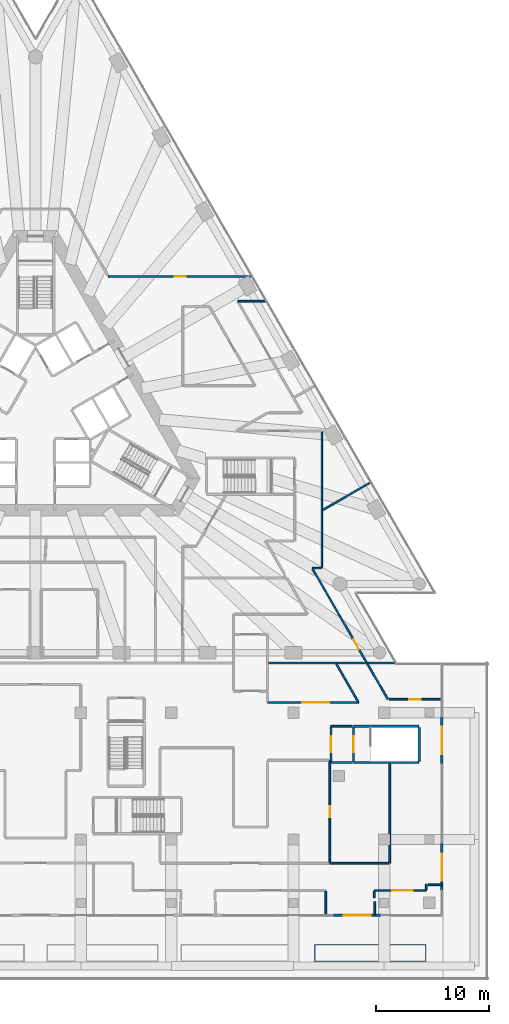
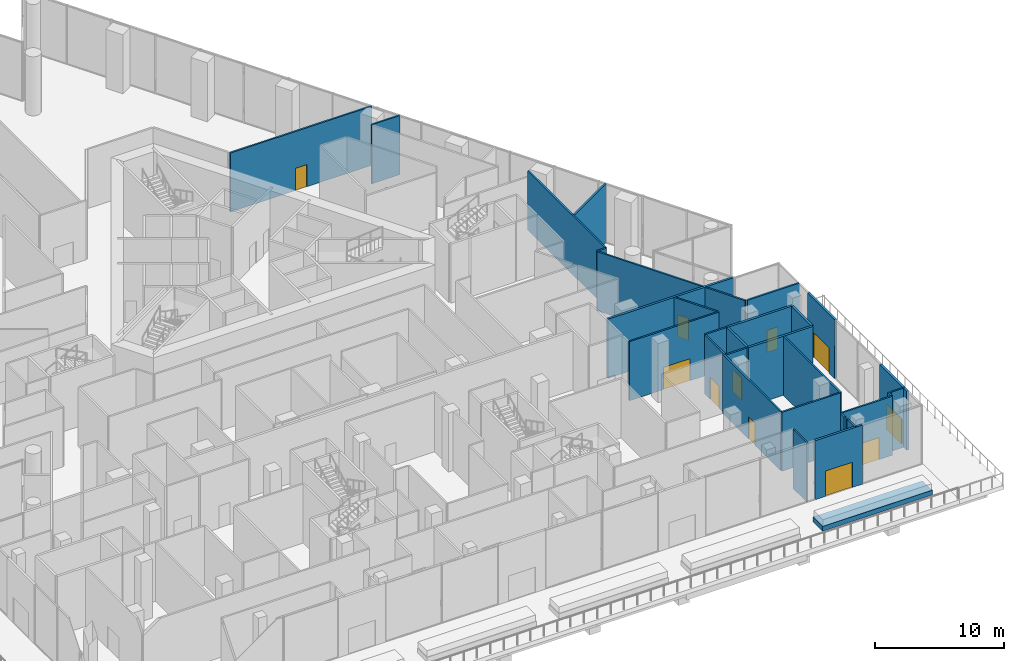
# One storey, part 28 of 36: 31 walls, 11 doors, 11 openings.
"""IFC4 building model written with IfcOpenShell, lengths in metres."""

from ifc_helpers import new_model, si_unit, direction, frame, frame_2d, origin, place, context, subcontext, project, spatial, rectangle, extrude, material, layer, layer_set, layer_usage, type_object, element, fill, save


model = new_model("IFC4")

# Units and contexts
model_context = context("Model", 3, precision=1e-05, world=origin(), true_north=direction((0.0, 1.0)))
body_context = subcontext(model_context, "Body", "Model", "MODEL_VIEW")
ifc_project = project(units=[si_unit("LENGTHUNIT", "METRE"), si_unit("AREAUNIT", "SQUARE_METRE"), si_unit("VOLUMEUNIT", "CUBIC_METRE"), si_unit("PLANEANGLEUNIT", "RADIAN"), si_unit("MASSUNIT", "GRAM", prefix="KILO")], contexts=[model_context])

# Site, building, storey
site_placement = place(None, origin())
site = spatial("IfcSite", under=ifc_project, at=site_placement, CompositionType="ELEMENT")
building_placement = place(site_placement, origin())
building = spatial("IfcBuilding", under=site, at=building_placement, Name="Triada Interchange Tower", CompositionType="ELEMENT")
storey_placement = place(building_placement, frame((0.0, 0.0, 8.5)))
storey = spatial("IfcBuildingStorey", under=building, at=storey_placement, Name="L01", CompositionType="ELEMENT", Elevation=8.5)

# Walls
ifc_material_1 = material(Name="Concrete C30/37", Category="concrete")
ifc_layer_1 = layer(ifc_material_1, 0.199951171875)
ifc_layer_set_1 = layer_set([ifc_layer_1], Name="COMPARTMENT WALL 200 EI 180")
wall_type_1 = type_object("IfcWallType", Name="COMPARTMENT WALL 200 EI 180", PredefinedType="SOLIDWALL", material=ifc_layer_set_1)
wall_1_placement = place(storey_placement, frame((20.574951171875, -22.5, 0.0), z_axis=(0.0, 0.0, 1.0), x_axis=(1.0, 0.0, 0.0)))
element("IfcWall", 1, at=wall_1_placement, inside=storey, type_object=wall_type_1, Name="Compartment wall L01 52", PredefinedType="SOLIDWALL", context=body_context, shape_type="SweptSolid", body=[
    extrude(rectangle(XDim=11.26611328125, YDim=0.199951171875, at=frame_2d((5.633056640625, 0.0))), origin(), (0.0, 0.0, 1.0), 5.60009765625),
])
ifc_layer_2 = layer(ifc_material_1, 0.199951171875)
ifc_layer_set_2 = layer_set([ifc_layer_2], Name="CORE WALL 200 REI 240")
wall_type_2 = type_object("IfcWallType", Name="CORE WALL 200 REI 240", PredefinedType="SOLIDWALL", material=ifc_layer_set_2)
for number, where, z_axis, x_axis, name in (
    (2, (28.10009765625, -31.300048828125, 0.0), (0.0, 0.0, 1.0), (1.0, 0.0, 0.0), "Wall L01 236"),
    (3, (28.10009765625, -28.10009765625, 0.0), (0.0, 0.0, 1.0), (1.0, 0.0, 0.0), "Wall L01 239"),
):
    element("IfcWall", number, at=place(storey_placement, frame(where, z_axis=z_axis, x_axis=x_axis)), inside=storey, type_object=wall_type_2, Name=name, PredefinedType="SOLIDWALL", context=body_context, shape_type="SweptSolid", body=[
        extrude(rectangle(XDim=5.7998046875, YDim=0.199951171875, at=frame_2d((2.89990234375, 0.0))), origin(), (0.0, 0.0, 1.0), 5.60009765625),
    ])

# Wall, opening, door
wall_2_placement = place(storey_placement, frame((28.10009765625, -31.199951171875, 0.0), z_axis=(0.0, 0.0, 1.0), x_axis=(0.0, 1.0, 0.0)))
wall_2 = element("IfcWall", 4, at=wall_2_placement, inside=storey, type_object=wall_type_2, Name="Wall L01 265", PredefinedType="SOLIDWALL", context=body_context, shape_type="SweptSolid", body=[
    extrude(rectangle(XDim=3.0, YDim=0.199951171875, at=frame_2d((1.5, 0.0))), origin(), (0.0, 0.0, 1.0), 5.60009765625),
])
opening_1_placement = place(wall_2_placement, frame((0.800048828125, 0.0, 0.0)))
opening_1 = element("IfcOpeningElement", 5, at=opening_1_placement, cuts=wall_2, Name="Opening D01-25", PredefinedType="OPENING", context=body_context, shape_type="SweptSolid", body=[
    extrude(rectangle(XDim=1.39990234375, YDim=2.10009765625, at=frame_2d((0.699951171875, 1.050048828125))), frame((0.0, 0.10986328125, 0.0), z_axis=(0.0, -1.0, 0.0), x_axis=(1.0, 0.0, 0.0)), (0.0, 0.0, 1.0), 0.219970703125),
])
ifc_material_2 = material(Name="Steel S235 door leaf", Category="steel")
door_type_1 = type_object("IfcDoorType", Name="STAIR DOOR 1400 EI2 90-C5S200", OperationType="DOUBLE_DOOR_SINGLE_SWING", PredefinedType="DOOR", material=ifc_material_2)
door_1_placement = place(opening_1_placement, origin())
door_1 = element("IfcDoor", 6, at=door_1_placement, inside=storey, type_object=door_type_1, Name="Door D01-25 L01", OperationType="DOUBLE_DOOR_SINGLE_SWING", OverallHeight=2.10009765625, OverallWidth=1.39990234375, PredefinedType="DOOR", context=body_context, shape_type="SweptSolid", body=[
    extrude(rectangle(XDim=1.39990234375, YDim=2.10009765625, at=frame_2d((0.699951171875, 1.050048828125))), frame((0.0, 0.02490234375, 0.0), z_axis=(0.0, -1.0, 0.0), x_axis=(1.0, 0.0, 0.0)), (0.0, 0.0, 1.0), 0.050048828125),
])
fill(opening_1, door_1)

# Wall
wall_3_placement = place(storey_placement, frame((33.89990234375, -31.199951171875, 0.0), z_axis=(0.0, 0.0, 1.0), x_axis=(0.0, 1.0, 0.0)))
element("IfcWall", 7, at=wall_3_placement, inside=storey, type_object=wall_type_2, Name="Wall L01 266", PredefinedType="SOLIDWALL", context=body_context, shape_type="SweptSolid", body=[
    extrude(rectangle(XDim=3.0, YDim=0.199951171875, at=frame_2d((1.5, 0.0))), origin(), (0.0, 0.0, 1.0), 5.60009765625),
])

# Wall, opening, door
ifc_material_3 = material(Name="Cement board")
ifc_layer_3 = layer(ifc_material_3, 0.02001953125, Name="Cement board cladding")
ifc_material_4 = material(Name="Sheathing board")
ifc_layer_4 = layer(ifc_material_4, 0.014892578125, Name="Sheathing board")
ifc_material_5 = material(Name="Mineral wool")
ifc_layer_5 = layer(ifc_material_5, 0.14990234375, Name="Mineral wool between steel studs")
ifc_material_6 = material(Name="Gypsum board")
ifc_layer_6 = layer(ifc_material_6, 0.014892578125, Name="Plasterboard lining")
ifc_layer_set_3 = layer_set([ifc_layer_3, ifc_layer_4, ifc_layer_5, ifc_layer_6], Name="External wall 200")
ifc_layer_usage = layer_usage(ifc_layer_set_3, "AXIS2", "POSITIVE", -0.10009765625)
wall_type_3 = type_object("IfcWallType", Name="External wall 200", PredefinedType="ELEMENTEDWALL", material=ifc_layer_set_3)
wall_4_placement = place(storey_placement, frame((26.320068359375, -44.800048828125, 0.0), z_axis=(0.0, 0.0, 1.0), x_axis=(1.0, 0.0, 0.0)))
wall_4 = element("IfcWall", 8, at=wall_4_placement, inside=storey, type_object=wall_type_3, material=ifc_layer_usage, Name="External wall L01 00.9", PredefinedType="ELEMENTEDWALL", context=body_context, shape_type="SweptSolid", body=[
    extrude(rectangle(XDim=4.199951171875, YDim=0.199951171875, at=frame_2d((2.10009765625, 0.0))), origin(), (0.0, 0.0, 1.0), 5.60009765625),
])
opening_2_placement = place(wall_4_placement, frame((0.89990234375, 0.0, 0.0)))
opening_2 = element("IfcOpeningElement", 9, at=opening_2_placement, cuts=wall_4, Name="Opening DX33", PredefinedType="OPENING", context=body_context, shape_type="SweptSolid", body=[
    extrude(rectangle(XDim=2.39990234375, YDim=2.39990234375, at=frame_2d((1.199951171875, 1.199951171875))), frame((0.0, 0.10986328125, 0.0), z_axis=(0.0, -1.0, 0.0), x_axis=(1.0, 0.0, 0.0)), (0.0, 0.0, 1.0), 0.219970703125),
])
ifc_material_7 = material(Name="Aluminium and glass", Category="aluminium")
door_type_2 = type_object("IfcDoorType", Name="Terrace door double", OperationType="DOUBLE_DOOR_SINGLE_SWING", PredefinedType="DOOR", material=ifc_material_7)
door_2_placement = place(opening_2_placement, frame((2.39990234375, 0.0, 0.0), z_axis=(0.0, 0.0, 1.0), x_axis=(-1.0, 0.0, 0.0)))
door_2 = element("IfcDoor", 10, at=door_2_placement, inside=storey, type_object=door_type_2, Name="Door DX33 L01", OperationType="DOUBLE_DOOR_SINGLE_SWING", OverallHeight=2.39990234375, OverallWidth=2.39990234375, PredefinedType="DOOR", context=body_context, shape_type="SweptSolid", body=[
    extrude(rectangle(XDim=2.39990234375, YDim=2.39990234375, at=frame_2d((1.199951171875, 1.199951171875))), frame((0.0, 0.02490234375, 0.0), z_axis=(0.0, -1.0, 0.0), x_axis=(1.0, 0.0, 0.0)), (0.0, 0.0, 1.0), 0.050048828125),
])
fill(opening_2, door_2)

wall_5_placement = place(storey_placement, frame((35.89990234375, -42.64990234375, 0.0), z_axis=(0.0, 0.0, 1.0), x_axis=(0.0, 1.0, 0.0)))
wall_5 = element("IfcWall", 11, at=wall_5_placement, inside=storey, type_object=wall_type_3, material=ifc_layer_usage, Name="External wall L01 01.1", PredefinedType="ELEMENTEDWALL", context=body_context, shape_type="SweptSolid", body=[
    extrude(rectangle(XDim=4.199951171875, YDim=0.199951171875, at=frame_2d((2.10009765625, 0.0))), origin(), (0.0, 0.0, 1.0), 5.60009765625),
])
opening_3_placement = place(wall_5_placement, frame((0.89990234375, 0.0, 0.0)))
opening_3 = element("IfcOpeningElement", 12, at=opening_3_placement, cuts=wall_5, Name="Opening DX34", PredefinedType="OPENING", context=body_context, shape_type="SweptSolid", body=[
    extrude(rectangle(XDim=2.39990234375, YDim=2.39990234375, at=frame_2d((1.199951171875, 1.199951171875))), frame((0.0, 0.10986328125, 0.0), z_axis=(0.0, -1.0, 0.0), x_axis=(1.0, 0.0, 0.0)), (0.0, 0.0, 1.0), 0.219970703125),
])
door_3_placement = place(opening_3_placement, frame((2.39990234375, 0.0, 0.0), z_axis=(0.0, 0.0, 1.0), x_axis=(-1.0, 0.0, 0.0)))
door_3 = element("IfcDoor", 13, at=door_3_placement, inside=storey, type_object=door_type_2, Name="Door DX34 L01", OperationType="DOUBLE_DOOR_SINGLE_SWING", OverallHeight=2.39990234375, OverallWidth=2.39990234375, PredefinedType="DOOR", context=body_context, shape_type="SweptSolid", body=[
    extrude(rectangle(XDim=2.39990234375, YDim=2.39990234375, at=frame_2d((1.199951171875, 1.199951171875))), frame((0.0, 0.02490234375, 0.0), z_axis=(0.0, -1.0, 0.0), x_axis=(1.0, 0.0, 0.0)), (0.0, 0.0, 1.0), 0.050048828125),
])
fill(opening_3, door_3)

wall_6_placement = place(storey_placement, frame((35.89990234375, -31.449951171875, 0.0), z_axis=(0.0, 0.0, 1.0), x_axis=(0.0, 1.0, 0.0)))
wall_6 = element("IfcWall", 14, at=wall_6_placement, inside=storey, type_object=wall_type_3, material=ifc_layer_usage, Name="External wall L01 01.3", PredefinedType="ELEMENTEDWALL", context=body_context, shape_type="SweptSolid", body=[
    extrude(rectangle(XDim=4.199951171875, YDim=0.199951171875, at=frame_2d((2.10009765625, 0.0))), origin(), (0.0, 0.0, 1.0), 5.60009765625),
])
opening_4_placement = place(wall_6_placement, frame((0.89990234375, 0.0, 0.0)))
opening_4 = element("IfcOpeningElement", 15, at=opening_4_placement, cuts=wall_6, Name="Opening DX35", PredefinedType="OPENING", context=body_context, shape_type="SweptSolid", body=[
    extrude(rectangle(XDim=2.39990234375, YDim=2.39990234375, at=frame_2d((1.199951171875, 1.199951171875))), frame((0.0, 0.10986328125, 0.0), z_axis=(0.0, -1.0, 0.0), x_axis=(1.0, 0.0, 0.0)), (0.0, 0.0, 1.0), 0.219970703125),
])
door_4_placement = place(opening_4_placement, frame((2.39990234375, 0.0, 0.0), z_axis=(0.0, 0.0, 1.0), x_axis=(-1.0, 0.0, 0.0)))
door_4 = element("IfcDoor", 16, at=door_4_placement, inside=storey, type_object=door_type_2, Name="Door DX35 L01", OperationType="DOUBLE_DOOR_SINGLE_SWING", OverallHeight=2.39990234375, OverallWidth=2.39990234375, PredefinedType="DOOR", context=body_context, shape_type="SweptSolid", body=[
    extrude(rectangle(XDim=2.39990234375, YDim=2.39990234375, at=frame_2d((1.199951171875, 1.199951171875))), frame((0.0, 0.02490234375, 0.0), z_axis=(0.0, -1.0, 0.0), x_axis=(1.0, 0.0, 0.0)), (0.0, 0.0, 1.0), 0.050048828125),
])
fill(opening_4, door_4)

# Walls
ifc_material_8 = material(Name="Gypsum board partition")
ifc_layer_7 = layer(ifc_material_8, 0.14990234375)
ifc_layer_set_4 = layer_set([ifc_layer_7], Name="PARTITION 150 EI 180")
wall_type_4 = type_object("IfcWallType", Name="PARTITION 150 EI 180", PredefinedType="PARTITIONING", material=ifc_layer_set_4)
for number, where, z_axis, x_axis, name in (
    (17, (26.10009765625, -28.10009765625, 0.0), (0.0, 0.0, 1.0), (1.0, 0.0, 0.0), "Wall L01 2"),
    (18, (26.10009765625, -31.300048828125, 0.0), (0.0, 0.0, 1.0), (1.0, 0.0, 0.0), "Wall L01 5"),
):
    element("IfcWall", number, at=place(storey_placement, frame(where, z_axis=z_axis, x_axis=x_axis)), inside=storey, type_object=wall_type_4, Name=name, PredefinedType="PARTITIONING", context=body_context, shape_type="SweptSolid", body=[
        extrude(rectangle(XDim=1.89990234375, YDim=0.14990234375, at=frame_2d((0.949951171875, 0.0))), origin(), (0.0, 0.0, 1.0), 5.60009765625),
    ])
wall_7_placement = place(storey_placement, frame((31.300048828125, -40.199951171875, 0.0), z_axis=(0.0, 0.0, 1.0), x_axis=(0.0, 1.0, 0.0)))
element("IfcWall", 19, at=wall_7_placement, inside=storey, type_object=wall_type_4, Name="Wall L01 24", PredefinedType="PARTITIONING", context=body_context, shape_type="SweptSolid", body=[
    extrude(rectangle(XDim=8.800048828125, YDim=0.14990234375, at=frame_2d((4.39990234375, 0.0))), origin(), (0.0, 0.0, 1.0), 5.60009765625),
])
wall_8_placement = place(storey_placement, frame((26.0, -40.199951171875, 0.0), z_axis=(0.0, 0.0, 1.0), x_axis=(1.0, 0.0, 0.0)))
element("IfcWall", 20, at=wall_8_placement, inside=storey, type_object=wall_type_4, Name="Wall L01 25", PredefinedType="PARTITIONING", context=body_context, shape_type="SweptSolid", body=[
    extrude(rectangle(XDim=5.22509765625, YDim=0.14990234375, at=frame_2d((2.612548828125, 0.0))), origin(), (0.0, 0.0, 1.0), 5.60009765625),
])

# Wall, opening, door
wall_9_placement = place(storey_placement, frame((26.0, -40.125, 0.0), z_axis=(0.0, 0.0, 1.0), x_axis=(0.0, 1.0, 0.0)))
wall_9 = element("IfcWall", 21, at=wall_9_placement, inside=storey, type_object=wall_type_4, Name="Wall L01 26", PredefinedType="PARTITIONING", context=body_context, shape_type="SweptSolid", body=[
    extrude(rectangle(XDim=9.02490234375, YDim=0.14990234375, at=frame_2d((4.512451171875, 0.0))), origin(), (0.0, 0.0, 1.0), 5.60009765625),
])
opening_5_placement = place(wall_9_placement, frame((3.97509765625, 0.0, 0.0)))
opening_5 = element("IfcOpeningElement", 22, at=opening_5_placement, cuts=wall_9, Name="Opening D01-35", PredefinedType="OPENING", context=body_context, shape_type="SweptSolid", body=[
    extrude(rectangle(XDim=1.0, YDim=2.10009765625, at=frame_2d((0.5, 1.050048828125))), frame((0.0, 0.0849609375, 0.0), z_axis=(0.0, -1.0, 0.0), x_axis=(1.0, 0.0, 0.0)), (0.0, 0.0, 1.0), 0.169921875),
])
door_type_3 = type_object("IfcDoorType", Name="ROOM DOOR 1000 EI2 45-C5S200", OperationType="NOTDEFINED", PredefinedType="DOOR", material=ifc_material_2)
door_5_placement = place(opening_5_placement, origin())
door_5 = element("IfcDoor", 23, at=door_5_placement, inside=storey, type_object=door_type_3, Name="Door D01-35 L01", OperationType="SINGLE_SWING_LEFT", OverallHeight=2.10009765625, OverallWidth=1.0, PredefinedType="DOOR", context=body_context, shape_type="SweptSolid", body=[
    extrude(rectangle(XDim=1.0, YDim=2.10009765625, at=frame_2d((0.5, 1.050048828125))), frame((0.0, 0.02490234375, 0.0), z_axis=(0.0, -1.0, 0.0), x_axis=(1.0, 0.0, 0.0)), (0.0, 0.0, 1.0), 0.050048828125),
])
fill(opening_5, door_5)

wall_10_placement = place(storey_placement, frame((26.10009765625, -31.22509765625, 0.0), z_axis=(0.0, 0.0, 1.0), x_axis=(0.0, 1.0, 0.0)))
wall_10 = element("IfcWall", 24, at=wall_10_placement, inside=storey, type_object=wall_type_4, Name="Wall L01 27", PredefinedType="PARTITIONING", context=body_context, shape_type="SweptSolid", body=[
    extrude(rectangle(XDim=3.050048828125, YDim=0.14990234375, at=frame_2d((1.52490234375, 0.0))), origin(), (0.0, 0.0, 1.0), 5.60009765625),
])
opening_6_placement = place(wall_10_placement, frame((0.824951171875, 0.0, 0.0)))
opening_6 = element("IfcOpeningElement", 25, at=opening_6_placement, cuts=wall_10, Name="Opening D01-26", PredefinedType="OPENING", context=body_context, shape_type="SweptSolid", body=[
    extrude(rectangle(XDim=1.39990234375, YDim=2.10009765625, at=frame_2d((0.699951171875, 1.050048828125))), frame((0.0, 0.0849609375, 0.0), z_axis=(0.0, -1.0, 0.0), x_axis=(1.0, 0.0, 0.0)), (0.0, 0.0, 1.0), 0.169921875),
])
door_6_placement = place(opening_6_placement, origin())
door_6 = element("IfcDoor", 26, at=door_6_placement, inside=storey, type_object=door_type_1, Name="Door D01-26 L01", OperationType="DOUBLE_DOOR_SINGLE_SWING", OverallHeight=2.10009765625, OverallWidth=1.39990234375, PredefinedType="DOOR", context=body_context, shape_type="SweptSolid", body=[
    extrude(rectangle(XDim=1.39990234375, YDim=2.10009765625, at=frame_2d((0.699951171875, 1.050048828125))), frame((0.0, 0.02490234375, 0.0), z_axis=(0.0, -1.0, 0.0), x_axis=(1.0, 0.0, 0.0)), (0.0, 0.0, 1.0), 0.050048828125),
])
fill(opening_6, door_6)

# Wall
ifc_layer_8 = layer(ifc_material_8, 0.14990234375)
ifc_layer_set_5 = layer_set([ifc_layer_8], Name="PARTITION 150 EI 90")
wall_type_5 = type_object("IfcWallType", Name="PARTITION 150 EI 90", PredefinedType="PARTITIONING", material=ifc_layer_set_5)
wall_11_placement = place(storey_placement, frame((34.699951171875, -42.10009765625, 0.0), z_axis=(0.0, 0.0, 1.0), x_axis=(1.0, 0.0, 0.0)))
element("IfcWall", 27, at=wall_11_placement, inside=storey, type_object=wall_type_5, Name="Wall L01 37", PredefinedType="PARTITIONING", context=body_context, shape_type="SweptSolid", body=[
    extrude(rectangle(XDim=1.199951171875, YDim=0.14990234375, at=frame_2d((0.60009765625, 0.0))), origin(), (0.0, 0.0, 1.0), 5.60009765625),
])

# Wall, opening, door
wall_12_placement = place(storey_placement, frame((29.919921875, -42.60009765625, 0.0), z_axis=(0.0, 0.0, 1.0), x_axis=(1.0, 0.0, 0.0)))
wall_12 = element("IfcWall", 28, at=wall_12_placement, inside=storey, type_object=wall_type_5, Name="Wall L01 44", PredefinedType="PARTITIONING", context=body_context, shape_type="SweptSolid", body=[
    extrude(rectangle(XDim=4.60107421875, YDim=0.14990234375, at=frame_2d((2.300537109375, 0.0))), origin(), (0.0, 0.0, 1.0), 5.60009765625),
])
opening_7_placement = place(wall_12_placement, frame((1.60009765625, 0.0, 0.0)))
opening_7 = element("IfcOpeningElement", 29, at=opening_7_placement, cuts=wall_12, Name="Opening D01-55", PredefinedType="OPENING", context=body_context, shape_type="SweptSolid", body=[
    extrude(rectangle(XDim=1.800048828125, YDim=2.10009765625, at=frame_2d((0.89990234375, 1.050048828125))), frame((0.0, 0.0849609375, 0.0), z_axis=(0.0, -1.0, 0.0), x_axis=(1.0, 0.0, 0.0)), (0.0, 0.0, 1.0), 0.169921875),
])
door_type_4 = type_object("IfcDoorType", Name="SHOP AND HALL ENTRANCE DOOR 1800 EI2 90-C5S200", OperationType="DOUBLE_DOOR_SINGLE_SWING", PredefinedType="DOOR", material=ifc_material_2)
door_7_placement = place(opening_7_placement, origin())
door_7 = element("IfcDoor", 30, at=door_7_placement, inside=storey, type_object=door_type_4, Name="Door D01-55 L01", OperationType="DOUBLE_DOOR_SINGLE_SWING", OverallHeight=2.10009765625, OverallWidth=1.800048828125, PredefinedType="DOOR", context=body_context, shape_type="SweptSolid", body=[
    extrude(rectangle(XDim=1.800048828125, YDim=2.10009765625, at=frame_2d((0.89990234375, 1.050048828125))), frame((0.0, 0.02490234375, 0.0), z_axis=(0.0, -1.0, 0.0), x_axis=(1.0, 0.0, 0.0)), (0.0, 0.0, 1.0), 0.050048828125),
])
fill(opening_7, door_7)

# Wall
wall_13_placement = place(storey_placement, frame((24.466064453125, -14.125, 0.0), z_axis=(0.0, 0.0, 1.0), x_axis=(1.0, 0.0, 0.0)))
element("IfcWall", 31, at=wall_13_placement, inside=storey, type_object=wall_type_5, Name="Wall L01 65", PredefinedType="PARTITIONING", context=body_context, shape_type="SweptSolid", body=[
    extrude(rectangle(XDim=0.833984375, YDim=0.14990234375, at=frame_2d((0.4169921875, 0.0))), origin(), (0.0, 0.0, 1.0), 5.60009765625),
])

# Wall, opening, door
wall_14_placement = place(storey_placement, frame((20.5, -26.0, 0.0), z_axis=(0.0, 0.0, 1.0), x_axis=(1.0, 0.0, 0.0)))
wall_14 = element("IfcWall", 32, at=wall_14_placement, inside=storey, type_object=wall_type_5, Name="Wall L01 74", PredefinedType="PARTITIONING", context=body_context, shape_type="SweptSolid", body=[
    extrude(rectangle(XDim=8.050048828125, YDim=0.14990234375, at=frame_2d((4.02490234375, 0.0))), origin(), (0.0, 0.0, 1.0), 5.60009765625),
])
opening_8_placement = place(wall_14_placement, frame((3.050048828125, 0.0, 0.0)))
opening_8 = element("IfcOpeningElement", 33, at=opening_8_placement, cuts=wall_14, Name="Opening D01-42", PredefinedType="OPENING", context=body_context, shape_type="SweptSolid", body=[
    extrude(rectangle(XDim=2.39990234375, YDim=2.10009765625, at=frame_2d((1.199951171875, 1.050048828125))), frame((0.0, 0.0849609375, 0.0), z_axis=(0.0, -1.0, 0.0), x_axis=(1.0, 0.0, 0.0)), (0.0, 0.0, 1.0), 0.169921875),
])
door_type_5 = type_object("IfcDoorType", Name="SHOP AND HALL ENTRANCE DOOR 2400 EI2 45-C5S200", OperationType="DOUBLE_DOOR_SINGLE_SWING", PredefinedType="DOOR", material=ifc_material_2)
door_8_placement = place(opening_8_placement, origin())
door_8 = element("IfcDoor", 34, at=door_8_placement, inside=storey, type_object=door_type_5, Name="Door D01-42 L01", OperationType="DOUBLE_DOOR_SINGLE_SWING", OverallHeight=2.10009765625, OverallWidth=2.39990234375, PredefinedType="DOOR", context=body_context, shape_type="SweptSolid", body=[
    extrude(rectangle(XDim=2.39990234375, YDim=2.10009765625, at=frame_2d((1.199951171875, 1.050048828125))), frame((0.0, 0.02490234375, 0.0), z_axis=(0.0, -1.0, 0.0), x_axis=(1.0, 0.0, 0.0)), (0.0, 0.0, 1.0), 0.050048828125),
])
fill(opening_8, door_8)

# Wall
wall_15_placement = place(storey_placement, frame((17.863037109375, 9.4599609375, 0.0), z_axis=(0.0, 0.0, 1.0), x_axis=(1.0, 0.0, 0.0)))
element("IfcWall", 35, at=wall_15_placement, inside=storey, type_object=wall_type_5, Name="Wall L01 86", PredefinedType="PARTITIONING", context=body_context, shape_type="SweptSolid", body=[
    extrude(rectangle(XDim=2.5400390625, YDim=0.14990234375, at=frame_2d((1.27001953125, 0.0))), origin(), (0.0, 0.0, 1.0), 5.60009765625),
])

# Wall, opening, door
wall_16_placement = place(storey_placement, frame((6.430908203125, 11.639892578125, 0.0), z_axis=(0.0, 0.0, 1.0), x_axis=(1.0, 0.0, 0.0)))
wall_16 = element("IfcWall", 36, at=wall_16_placement, inside=storey, type_object=wall_type_5, Name="Wall L01 118", PredefinedType="PARTITIONING", context=body_context, shape_type="SweptSolid", body=[
    extrude(rectangle(XDim=12.714111328125, YDim=0.14990234375, at=frame_2d((6.35693359375, 0.0))), origin(), (0.0, 0.0, 1.0), 5.60009765625),
])
opening_9_placement = place(wall_16_placement, frame((5.85693359375, 0.0, 0.0)))
opening_9 = element("IfcOpeningElement", 37, at=opening_9_placement, cuts=wall_16, Name="Opening D01-65", PredefinedType="OPENING", context=body_context, shape_type="SweptSolid", body=[
    extrude(rectangle(XDim=1.0, YDim=2.10009765625, at=frame_2d((0.5, 1.050048828125))), frame((0.0, 0.0849609375, 0.0), z_axis=(0.0, -1.0, 0.0), x_axis=(1.0, 0.0, 0.0)), (0.0, 0.0, 1.0), 0.169921875),
])
door_9_placement = place(opening_9_placement, origin())
door_9 = element("IfcDoor", 38, at=door_9_placement, inside=storey, type_object=door_type_3, Name="Door D01-65 L01", OperationType="SINGLE_SWING_LEFT", OverallHeight=2.10009765625, OverallWidth=1.0, PredefinedType="DOOR", context=body_context, shape_type="SweptSolid", body=[
    extrude(rectangle(XDim=1.0, YDim=2.10009765625, at=frame_2d((0.5, 1.050048828125))), frame((0.0, 0.02490234375, 0.0), z_axis=(0.0, -1.0, 0.0), x_axis=(1.0, 0.0, 0.0)), (0.0, 0.0, 1.0), 0.050048828125),
])
fill(opening_9, door_9)

# Walls
wall_17_placement = place(storey_placement, frame((25.64306640625, -44.800048828125, 0.0), z_axis=(0.0, 0.0, 1.0), x_axis=(0.0, 1.0, 0.0)))
element("IfcWall", 39, at=wall_17_placement, inside=storey, type_object=wall_type_5, Name="Wall L01 150", PredefinedType="PARTITIONING", context=body_context, shape_type="SweptSolid", body=[
    extrude(rectangle(XDim=2.125, YDim=0.14990234375, at=frame_2d((1.0625, 0.0))), origin(), (0.0, 0.0, 1.0), 5.60009765625),
])
wall_18_placement = place(storey_placement, frame((26.572021484375, -22.574951171875, 0.0), z_axis=(0.0, 0.0, 1.0), x_axis=(0.499981047344, -0.866036345829, 0.0)))
element("IfcWall", 40, at=wall_18_placement, inside=storey, type_object=wall_type_5, Name="Wall L01 153", PredefinedType="PARTITIONING", context=body_context, shape_type="SweptSolid", body=[
    extrude(rectangle(XDim=3.868408203125, YDim=0.14990234375, at=frame_2d((1.93408203125, 0.0))), origin(), (0.0, 0.0, 1.0), 5.60009765625),
])
wall_19_placement = place(storey_placement, frame((25.300048828125, -14.050048828125, 0.0), z_axis=(0.0, 0.0, 1.0), x_axis=(0.0, 1.0, 0.0)))
element("IfcWall", 41, at=wall_19_placement, inside=storey, type_object=wall_type_5, Name="Wall L01 162", PredefinedType="PARTITIONING", context=body_context, shape_type="SweptSolid", body=[
    extrude(rectangle(XDim=11.97509765625, YDim=0.14990234375, at=frame_2d((5.987548828125, 0.0))), origin(), (0.0, 0.0, 1.0), 5.60009765625),
])
wall_20_placement = place(storey_placement, frame((25.375, -8.989990234375, 0.0), z_axis=(0.0, 0.0, 1.0), x_axis=(0.865986393087, 0.500067562424, 0.0)))
element("IfcWall", 42, at=wall_20_placement, inside=storey, type_object=wall_type_5, Name="Wall L01 164", PredefinedType="PARTITIONING", context=body_context, shape_type="SweptSolid", body=[
    extrude(rectangle(XDim=4.919189453125, YDim=0.14990234375, at=frame_2d((2.45947265625, 0.0))), origin(), (0.0, 0.0, 1.0), 5.60009765625),
])

# Wall, opening, door
wall_21_placement = place(storey_placement, frame((24.490966796875, -14.2099609375, 0.0), z_axis=(0.0, 0.0, 1.0), x_axis=(0.499994996542, -0.866028292513, 0.0)))
wall_21 = element("IfcWall", 43, at=wall_21_placement, inside=storey, type_object=wall_type_5, Name="Wall L01 165", PredefinedType="PARTITIONING", context=body_context, shape_type="SweptSolid", body=[
    extrude(rectangle(XDim=9.48583984375, YDim=0.14990234375, at=frame_2d((4.742919921875, 0.0))), origin(), (0.0, 0.0, 1.0), 5.60009765625),
])
opening_10_placement = place(wall_21_placement, frame((7.172119140625, 0.0, 0.0)))
opening_10 = element("IfcOpeningElement", 44, at=opening_10_placement, cuts=wall_21, Name="Opening D01-68", PredefinedType="OPENING", context=body_context, shape_type="SweptSolid", body=[
    extrude(rectangle(XDim=1.0, YDim=2.10009765625, at=frame_2d((0.5, 1.050048828125))), frame((0.0, 0.0849609375, 0.0), z_axis=(0.0, -1.0, 0.0), x_axis=(1.0, 0.0, 0.0)), (0.0, 0.0, 1.0), 0.169921875),
])
door_type_6 = type_object("IfcDoorType", Name="ROOM DOOR 1000 EI2 90-C5S200", OperationType="NOTDEFINED", PredefinedType="DOOR", material=ifc_material_2)
door_10_placement = place(opening_10_placement, origin())
door_10 = element("IfcDoor", 45, at=door_10_placement, inside=storey, type_object=door_type_6, Name="Door D01-68 L01", OperationType="SINGLE_SWING_LEFT", OverallHeight=2.10009765625, OverallWidth=1.0, PredefinedType="DOOR", context=body_context, shape_type="SweptSolid", body=[
    extrude(rectangle(XDim=1.0, YDim=2.10009765625, at=frame_2d((0.5, 1.050048828125))), frame((0.0, 0.02490234375, 0.0), z_axis=(0.0, -1.0, 0.0), x_axis=(1.0, 0.0, 0.0)), (0.0, 0.0, 1.0), 0.050048828125),
])
fill(opening_10, door_10)

# Wall
wall_22_placement = place(storey_placement, frame((29.320068359375, -22.574951171875, 0.0), z_axis=(0.0, 0.0, 1.0), x_axis=(0.499961819171, -0.866047446374, 0.0)))
element("IfcWall", 46, at=wall_22_placement, inside=storey, type_object=wall_type_5, Name="Wall L01 166", PredefinedType="PARTITIONING", context=body_context, shape_type="SweptSolid", body=[
    extrude(rectangle(XDim=3.619873046875, YDim=0.14990234375, at=frame_2d((1.81005859375, 0.0))), origin(), (0.0, 0.0, 1.0), 5.60009765625),
])

# Wall, opening, door
wall_23_placement = place(storey_placement, frame((31.23388671875, -25.719970703125, 0.0), z_axis=(0.0, 0.0, 1.0), x_axis=(1.0, 0.0, 0.0)))
wall_23 = element("IfcWall", 47, at=wall_23_placement, inside=storey, type_object=wall_type_5, Name="Wall L01 167", PredefinedType="PARTITIONING", context=body_context, shape_type="SweptSolid", body=[
    extrude(rectangle(XDim=4.666015625, YDim=0.14990234375, at=frame_2d((2.3330078125, 0.0))), origin(), (0.0, 0.0, 1.0), 5.60009765625),
])
opening_11_placement = place(wall_23_placement, frame((1.7900390625, 0.0, 0.0)))
opening_11 = element("IfcOpeningElement", 48, at=opening_11_placement, cuts=wall_23, Name="Opening D01-69", PredefinedType="OPENING", context=body_context, shape_type="SweptSolid", body=[
    extrude(rectangle(XDim=1.0, YDim=2.10009765625, at=frame_2d((0.5, 1.050048828125))), frame((0.0, 0.0849609375, 0.0), z_axis=(0.0, -1.0, 0.0), x_axis=(1.0, 0.0, 0.0)), (0.0, 0.0, 1.0), 0.169921875),
])
door_11_placement = place(opening_11_placement, origin())
door_11 = element("IfcDoor", 49, at=door_11_placement, inside=storey, type_object=door_type_6, Name="Door D01-69 L01", OperationType="SINGLE_SWING_LEFT", OverallHeight=2.10009765625, OverallWidth=1.0, PredefinedType="DOOR", context=body_context, shape_type="SweptSolid", body=[
    extrude(rectangle(XDim=1.0, YDim=2.10009765625, at=frame_2d((0.5, 1.050048828125))), frame((0.0, 0.02490234375, 0.0), z_axis=(0.0, -1.0, 0.0), x_axis=(1.0, 0.0, 0.0)), (0.0, 0.0, 1.0), 0.050048828125),
])
fill(opening_11, door_11)

# Walls
wall_24_placement = place(storey_placement, frame((29.969970703125, -44.800048828125, 0.0), z_axis=(0.0, 0.0, 1.0), x_axis=(0.0, 1.0, 0.0)))
element("IfcWall", 50, at=wall_24_placement, inside=storey, type_object=wall_type_5, Name="Wall L01 168", PredefinedType="PARTITIONING", context=body_context, shape_type="SweptSolid", body=[
    extrude(rectangle(XDim=1.199951171875, YDim=0.14990234375, at=frame_2d((0.60009765625, 0.0))), origin(), (0.0, 0.0, 1.0), 5.60009765625),
])
wall_25_placement = place(storey_placement, frame((29.919921875, -43.256103515625, 0.0), z_axis=(0.0, 0.0, 1.0), x_axis=(0.0, 1.0, 0.0)))
element("IfcWall", 51, at=wall_25_placement, inside=storey, type_object=wall_type_5, Name="Wall L01 169", PredefinedType="PARTITIONING", context=body_context, shape_type="SweptSolid", body=[
    extrude(rectangle(XDim=0.5810546875, YDim=0.14990234375, at=frame_2d((0.29052734375, 0.0))), origin(), (0.0, 0.0, 1.0), 5.60009765625),
])
wall_26_placement = place(storey_placement, frame((34.52099609375, -42.52490234375, 0.0), z_axis=(0.0, 0.0, 1.0), x_axis=(0.0, 1.0, 0.0)))
element("IfcWall", 52, at=wall_26_placement, inside=storey, type_object=wall_type_5, Name="Wall L01 170", PredefinedType="PARTITIONING", context=body_context, shape_type="SweptSolid", body=[
    extrude(rectangle(XDim=0.474853515625, YDim=0.14990234375, at=frame_2d((0.2373046875, 0.0))), origin(), (0.0, 0.0, 1.0), 5.60009765625),
])
ifc_layer_9 = layer(ifc_material_1, 1.5)
ifc_layer_set_6 = layer_set([ifc_layer_9], Name="Planter bed 450")
wall_type_6 = type_object("IfcWallType", Name="Planter bed 450", PredefinedType="STANDARD", material=ifc_layer_set_6)
wall_27_placement = place(storey_placement, frame((24.6669921875, -48.1298828125, 0.0), z_axis=(0.0, 0.0, 1.0), x_axis=(1.0, 0.0, 0.0)))
element("IfcWall", 53, at=wall_27_placement, inside=storey, type_object=wall_type_6, Name="PLANTER L01 06", PredefinedType="STANDARD", context=body_context, shape_type="SweptSolid", body=[
    extrude(rectangle(XDim=9.8330078125, YDim=1.5, at=frame_2d((4.91650390625, 0.0))), origin(), (0.0, 0.0, 1.0), 0.449951171875),
])

save(model, "model.ifc")
